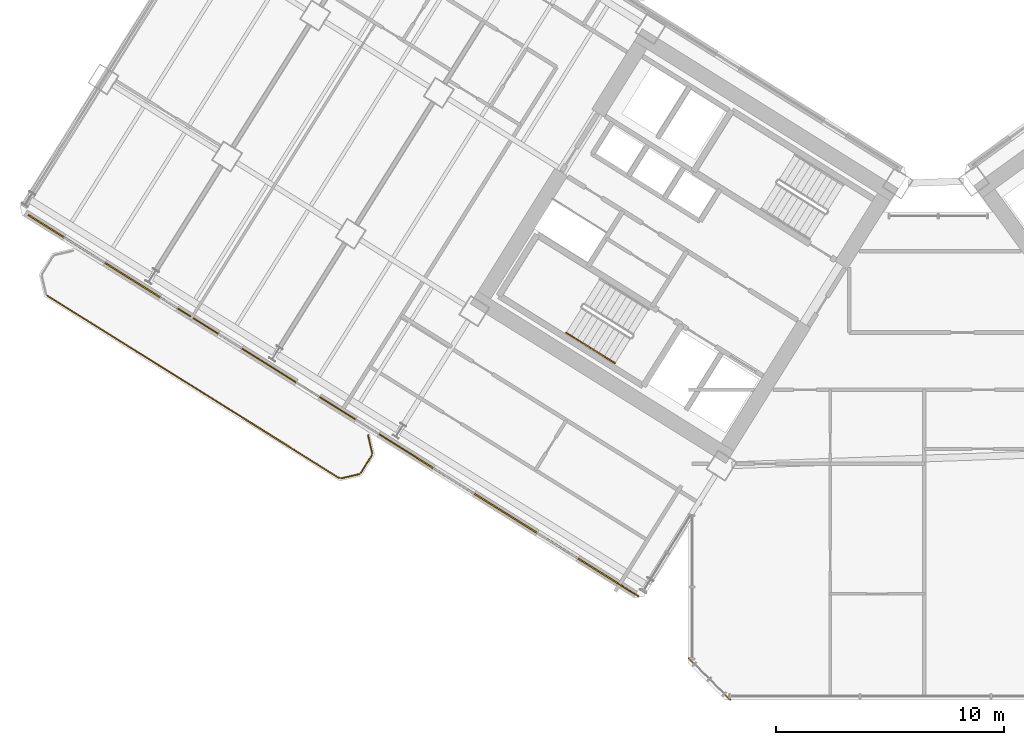
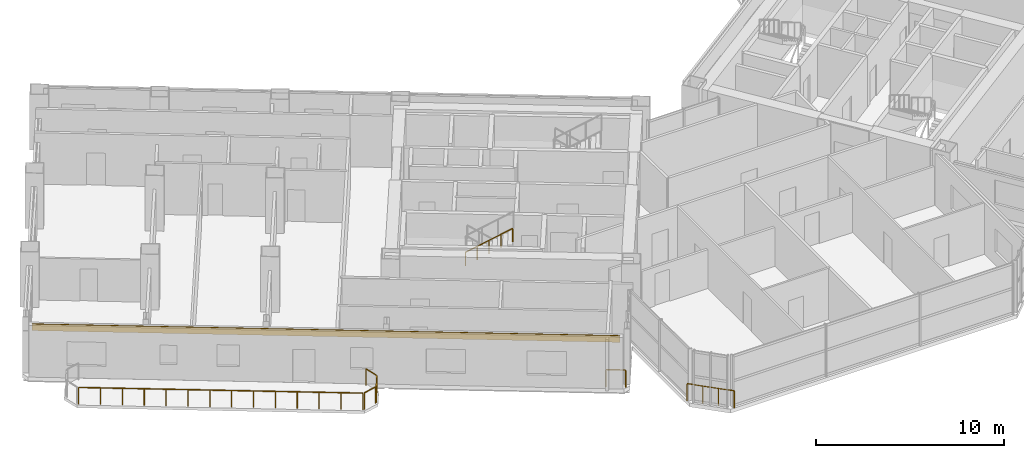
# One storey, part 21 of 28: 8 railings, 1 covering.
"""IFC4 building model written with IfcOpenShell, lengths in metres."""

from ifc_helpers import new_model, si_unit, direction, frame, origin, origin_2d, place, context, subcontext, project, spatial, rectangle, extrude, source, transform, mapped, material, layer, layer_set, type_object, element, save


model = new_model("IFC4")

# Units and contexts
model_context = context("Model", 3, precision=1e-05, world=origin(), true_north=direction((0.0, 1.0)))
body_context = subcontext(model_context, "Body", "Model", "MODEL_VIEW")
ifc_project = project(units=[si_unit("LENGTHUNIT", "METRE"), si_unit("AREAUNIT", "SQUARE_METRE"), si_unit("VOLUMEUNIT", "CUBIC_METRE"), si_unit("PLANEANGLEUNIT", "RADIAN"), si_unit("MASSUNIT", "GRAM", prefix="KILO")], contexts=[model_context])

# Site, building, storey
site_placement = place(None, origin())
site = spatial("IfcSite", under=ifc_project, at=site_placement, CompositionType="ELEMENT")
building_placement = place(site_placement, origin())
building = spatial("IfcBuilding", under=site, at=building_placement, Name="Tlacorven Tower", CompositionType="ELEMENT")
storey_placement = place(building_placement, frame((0.0, 0.0, 34.800048828125)))
storey = spatial("IfcBuildingStorey", under=building, at=storey_placement, Name="L08", CompositionType="ELEMENT", Elevation=34.800048828125)

# Railings
ifc_material_1 = material(Name="Aluminium and painted steel balustrade", Category="steel")
railing_type_1 = type_object("IfcRailingType", Name="RL-BAL-1100", PredefinedType="BALUSTRADE", material=ifc_material_1)
shared_shape_1 = source(origin(), body_context, "Body", "SweptSolid", [
    extrude(rectangle(XDim=0.048095703125, YDim=0.048095703125, at=origin_2d()), frame((0.0, 0.0, 1.076171875), z_axis=(0.225058334816, -0.974345290916, 0.0), x_axis=(0.974345290916, 0.225058334816, 0.0)), (0.0, 0.0, 1.0), 0.80712890625),
    extrude(rectangle(XDim=0.0419921875, YDim=0.0419921875, at=origin_2d()), origin(), (0.0, 0.0, 1.0), 1.052001953125),
    extrude(rectangle(XDim=0.0419921875, YDim=0.0419921875, at=origin_2d()), frame((0.181640625, -0.786376953125, 0.0)), (0.0, 0.0, 1.0), 1.052001953125),
])
railing_1_placement = place(storey_placement, frame((17.5244140625, 13.413330078125, 0.0)))
element("IfcRailing", 1, at=railing_1_placement, inside=storey, type_object=railing_type_1, Name="BAL-L08-W-OUT Guard Railing 1", PredefinedType="BALUSTRADE", context=body_context, shape_type="MappedRepresentation", body=[
    mapped(shared_shape_1, transform((0.0, 0.0, 0.0), scale=1.0)),
])
shared_shape_2 = source(origin(), body_context, "Body", "SweptSolid", [
    extrude(rectangle(XDim=0.048095703125, YDim=0.048095703125, at=origin_2d()), frame((0.0, 0.0, 1.076171875), z_axis=(-0.52987865805, -0.848073468364, 0.0), x_axis=(0.848073468364, -0.52987865805, 0.0)), (0.0, 0.0, 1.0), 0.912353515625),
    extrude(rectangle(XDim=0.0419921875, YDim=0.0419921875, at=origin_2d()), origin(), (0.0, 0.0, 1.0), 1.052001953125),
    extrude(rectangle(XDim=0.0419921875, YDim=0.0419921875, at=origin_2d()), frame((-0.4833984375, -0.773681640625, 0.0)), (0.0, 0.0, 1.0), 1.052001953125),
])
railing_2_placement = place(storey_placement, frame((17.690673828125, 12.535888671875, 0.0)))
element("IfcRailing", 2, at=railing_2_placement, inside=storey, type_object=railing_type_1, Name="BAL-L08-W-OUT Guard Railing 2", PredefinedType="BALUSTRADE", context=body_context, shape_type="MappedRepresentation", body=[
    mapped(shared_shape_2, transform((0.0, 0.0, 0.0), scale=1.0)),
])
shared_shape_3 = source(origin(), body_context, "Body", "SweptSolid", [
    extrude(rectangle(XDim=0.048095703125, YDim=0.048095703125, at=origin_2d()), frame((0.0, 0.0, 1.076171875), z_axis=(-0.974411586182, -0.224771129628, 0.0), x_axis=(0.224771129628, -0.974411586182, 0.0)), (0.0, 0.0, 1.0), 0.80712890625),
    extrude(rectangle(XDim=0.0419921875, YDim=0.0419921875, at=origin_2d()), origin(), (0.0, 0.0, 1.0), 1.052001953125),
    extrude(rectangle(XDim=0.0419921875, YDim=0.0419921875, at=origin_2d()), frame((-0.786376953125, -0.181396484375, 0.0)), (0.0, 0.0, 1.0), 1.052001953125),
])
railing_3_placement = place(storey_placement, frame((17.132080078125, 11.70849609375, 0.0)))
element("IfcRailing", 3, at=railing_3_placement, inside=storey, type_object=railing_type_1, Name="BAL-L08-W-OUT Guard Railing 3", PredefinedType="BALUSTRADE", context=body_context, shape_type="MappedRepresentation", body=[
    mapped(shared_shape_3, transform((0.0, 0.0, 0.0), scale=1.0)),
])
shared_shape_4 = source(origin(), body_context, "Body", "SweptSolid", [
    extrude(rectangle(XDim=0.048095703125, YDim=0.048095703125, at=origin_2d()), frame((0.0, 0.0, 1.076171875), z_axis=(-0.848044572804, 0.529924902733, 0.0), x_axis=(-0.529924902733, -0.848044572804, 0.0)), (0.0, 0.0, 1.0), 15.1171875),
    extrude(rectangle(XDim=0.0419921875, YDim=0.0419921875, at=origin_2d()), origin(), (0.0, 0.0, 1.0), 1.052001953125),
    extrude(rectangle(XDim=0.0419921875, YDim=0.0419921875, at=origin_2d()), frame((-0.986083984375, 0.6162109375, 0.0)), (0.0, 0.0, 1.0), 1.052001953125),
    extrude(rectangle(XDim=0.0419921875, YDim=0.0419921875, at=origin_2d()), frame((-1.972412109375, 1.232421875, 0.0)), (0.0, 0.0, 1.0), 1.052001953125),
    extrude(rectangle(XDim=0.0419921875, YDim=0.0419921875, at=origin_2d()), frame((-2.95849609375, 1.8486328125, 0.0)), (0.0, 0.0, 1.0), 1.052001953125),
    extrude(rectangle(XDim=0.0419921875, YDim=0.0419921875, at=origin_2d()), frame((-3.944580078125, 2.46484375, 0.0)), (0.0, 0.0, 1.0), 1.052001953125),
    extrude(rectangle(XDim=0.0419921875, YDim=0.0419921875, at=origin_2d()), frame((-4.930908203125, 3.0810546875, 0.0)), (0.0, 0.0, 1.0), 1.052001953125),
    extrude(rectangle(XDim=0.0419921875, YDim=0.0419921875, at=origin_2d()), frame((-5.9169921875, 3.697265625, 0.0)), (0.0, 0.0, 1.0), 1.052001953125),
    extrude(rectangle(XDim=0.0419921875, YDim=0.0419921875, at=origin_2d()), frame((-6.903076171875, 4.313720703125, 0.0)), (0.0, 0.0, 1.0), 1.052001953125),
    extrude(rectangle(XDim=0.0419921875, YDim=0.0419921875, at=origin_2d()), frame((-7.88916015625, 4.929931640625, 0.0)), (0.0, 0.0, 1.0), 1.052001953125),
    extrude(rectangle(XDim=0.0419921875, YDim=0.0419921875, at=origin_2d()), frame((-8.87548828125, 5.546142578125, 0.0)), (0.0, 0.0, 1.0), 1.052001953125),
    extrude(rectangle(XDim=0.0419921875, YDim=0.0419921875, at=origin_2d()), frame((-9.861572265625, 6.162353515625, 0.0)), (0.0, 0.0, 1.0), 1.052001953125),
    extrude(rectangle(XDim=0.0419921875, YDim=0.0419921875, at=origin_2d()), frame((-10.84765625, 6.778564453125, 0.0)), (0.0, 0.0, 1.0), 1.052001953125),
    extrude(rectangle(XDim=0.0419921875, YDim=0.0419921875, at=origin_2d()), frame((-11.833984375, 7.394775390625, 0.0)), (0.0, 0.0, 1.0), 1.052001953125),
    extrude(rectangle(XDim=0.0419921875, YDim=0.0419921875, at=origin_2d()), frame((-12.820068359375, 8.010986328125, 0.0)), (0.0, 0.0, 1.0), 1.052001953125),
])
railing_4_placement = place(storey_placement, frame((16.254638671875, 11.542236328125, 0.0)))
element("IfcRailing", 4, at=railing_4_placement, inside=storey, type_object=railing_type_1, Name="BAL-L08-W-OUT Guard Railing 4", PredefinedType="BALUSTRADE", context=body_context, shape_type="MappedRepresentation", body=[
    mapped(shared_shape_4, transform((0.0, 0.0, 0.0), scale=1.0)),
])
railing_type_2 = type_object("IfcRailingType", Name="RL-GRD-1150", PredefinedType="GUARDRAIL", material=ifc_material_1)
shared_shape_5 = source(origin(), body_context, "Body", "SweptSolid", [
    extrude(rectangle(XDim=0.048095703125, YDim=0.048095703125, at=origin_2d()), frame((0.0, 0.0, 1.1259765625), z_axis=(-0.707106781187, 0.707106781187, 0.0), x_axis=(-0.707106781187, -0.707106781187, 0.0)), (0.0, 0.0, 1.0), 2.590087890625),
    extrude(rectangle(XDim=0.0419921875, YDim=0.0419921875, at=origin_2d()), origin(), (0.0, 0.0, 1.0), 1.101806640625),
    extrude(rectangle(XDim=0.0419921875, YDim=0.0419921875, at=origin_2d()), frame((-0.610595703125, 0.610595703125, 0.0)), (0.0, 0.0, 1.0), 1.101806640625),
    extrude(rectangle(XDim=0.0419921875, YDim=0.0419921875, at=origin_2d()), frame((-1.220947265625, 1.220947265625, 0.0)), (0.0, 0.0, 1.0), 1.101806640625),
    extrude(rectangle(XDim=0.0419921875, YDim=0.0419921875, at=origin_2d()), frame((-1.83154296875, 1.83154296875, 0.0)), (0.0, 0.0, 1.0), 1.101806640625),
])
railing_5_placement = place(storey_placement, frame((33.428955078125, 1.79736328125, 0.0)))
element("IfcRailing", 5, at=railing_5_placement, inside=storey, type_object=railing_type_2, Name="L08 Knuckle Glazed Sill Guard 1", PredefinedType="GUARDRAIL", context=body_context, shape_type="MappedRepresentation", body=[
    mapped(shared_shape_5, transform((0.0, 0.0, 0.0), scale=1.0)),
])
shared_shape_6 = source(origin(), body_context, "Body", "SweptSolid", [
    extrude(rectangle(XDim=0.048095703125, YDim=0.048095703125, at=origin_2d()), frame((0.0, 0.0, 1.1259765625), z_axis=(-0.848102774857, 0.529831749973, 0.0), x_axis=(-0.529831749973, -0.848102774857, 0.0)), (0.0, 0.0, 1.0), 1.050048828125),
    extrude(rectangle(XDim=0.0419921875, YDim=0.0419921875, at=origin_2d()), origin(), (0.0, 0.0, 1.0), 1.101806640625),
    extrude(rectangle(XDim=0.0419921875, YDim=0.0419921875, at=origin_2d()), frame((-0.890625, 0.556396484375, 0.0)), (0.0, 0.0, 1.0), 1.101806640625),
])
railing_6_placement = place(storey_placement, frame((29.39501953125, 6.35009765625, 0.0)))
element("IfcRailing", 6, at=railing_6_placement, inside=storey, type_object=railing_type_2, Name="L08 Knuckle Glazed Sill Guard 2", PredefinedType="GUARDRAIL", context=body_context, shape_type="MappedRepresentation", body=[
    mapped(shared_shape_6, transform((0.0, 0.0, 0.0), scale=1.0)),
])

# Covering
ifc_material_2 = material(Name="Precast concrete C45/55", Category="concrete")
ifc_layer = layer(ifc_material_2, 0.06005859375)
ifc_layer_set = layer_set([ifc_layer], Name="Precast concrete C45/55")
covering_type = type_object("IfcCoveringType", Name="CV-CLD-TERC", PredefinedType="CLADDING", material=ifc_layer_set)
shared_shape_7 = source(origin(), body_context, "Body", "SweptSolid", [
    extrude(rectangle(XDim=31.287353515625, YDim=0.06005859375, at=origin_2d()), origin(), (0.0, 0.0, 1.0), 0.419921875),
])
covering_placement = place(storey_placement, frame((15.8740234375, 14.798828125, 2.929931640625), z_axis=(0.0, 0.0, 1.0), x_axis=(-0.84804812172, 0.529919223323, 0.0)))
element("IfcCovering", 7, at=covering_placement, inside=storey, type_object=covering_type, Name="L08 Masonry-Frame Spandrel Cladding 1", PredefinedType="CLADDING", context=body_context, shape_type="MappedRepresentation", body=[
    mapped(shared_shape_7, transform((0.0, 0.0, 0.0), scale=1.0)),
])

# Railings
railing_type_3 = type_object("IfcRailingType", Name="RL-HND-0900", PredefinedType="HANDRAIL", material=ifc_material_1)
shared_shape_8 = source(origin(), body_context, "Body", "SweptSolid", [
    extrude(rectangle(XDim=0.048095703125, YDim=0.048095703125, at=origin_2d()), frame((0.0, 0.0, 0.8759765625), z_axis=(0.713359751793, -0.4457479829, 0.540764828981), x_axis=(0.529911857636, 0.848052724267, 0.0)), (0.0, 0.0, 1.0), 1.498046875),
    extrude(rectangle(XDim=0.0419921875, YDim=0.0419921875, at=origin_2d()), origin(), (0.0, 0.0, 1.0), 0.851806640625),
    extrude(rectangle(XDim=0.0419921875, YDim=0.0419921875, at=origin_2d()), frame((0.5341796875, -0.333984375, 0.405029296875)), (0.0, 0.0, 1.0), 0.851806640625),
    extrude(rectangle(XDim=0.0419921875, YDim=0.0419921875, at=origin_2d()), frame((1.068603515625, -0.667724609375, 0.81005859375)), (0.0, 0.0, 1.0), 0.851806640625),
])
railing_7_placement = place(storey_placement, frame((26.228759765625, 17.915283203125, 1.97998046875)))
element("IfcRailing", 8, at=railing_7_placement, inside=storey, type_object=railing_type_3, Name="L08 ST-W1 stair handrail 3", PredefinedType="HANDRAIL", context=body_context, shape_type="MappedRepresentation", body=[
    mapped(shared_shape_8, transform((0.0, 0.0, 0.0), scale=1.0)),
])
shared_shape_9 = source(origin(), body_context, "Body", "SweptSolid", [
    extrude(rectangle(XDim=0.048095703125, YDim=0.048095703125, at=origin_2d()), frame((0.0, 0.0, 0.8759765625), z_axis=(0.713342573076, -0.445839108173, 0.540712366292), x_axis=(0.529998940003, 0.847998304005, 0.0)), (0.0, 0.0, 1.0), 1.49755859375),
    extrude(rectangle(XDim=0.0419921875, YDim=0.0419921875, at=origin_2d()), origin(), (0.0, 0.0, 1.0), 0.851806640625),
    extrude(rectangle(XDim=0.0419921875, YDim=0.0419921875, at=origin_2d()), frame((0.5341796875, -0.333984375, 0.40478515625)), (0.0, 0.0, 1.0), 0.851806640625),
    extrude(rectangle(XDim=0.0419921875, YDim=0.0419921875, at=origin_2d()), frame((1.068359375, -0.667724609375, 0.809814453125)), (0.0, 0.0, 1.0), 0.851806640625),
])
railing_8_placement = place(storey_placement, frame((27.29736328125, 17.24755859375, 2.7900390625)))
element("IfcRailing", 9, at=railing_8_placement, inside=storey, type_object=railing_type_3, Name="L08 ST-W1 stair handrail 4", PredefinedType="HANDRAIL", context=body_context, shape_type="MappedRepresentation", body=[
    mapped(shared_shape_9, transform((0.0, 0.0, 0.0), scale=1.0)),
])

save(model, "model.ifc")
